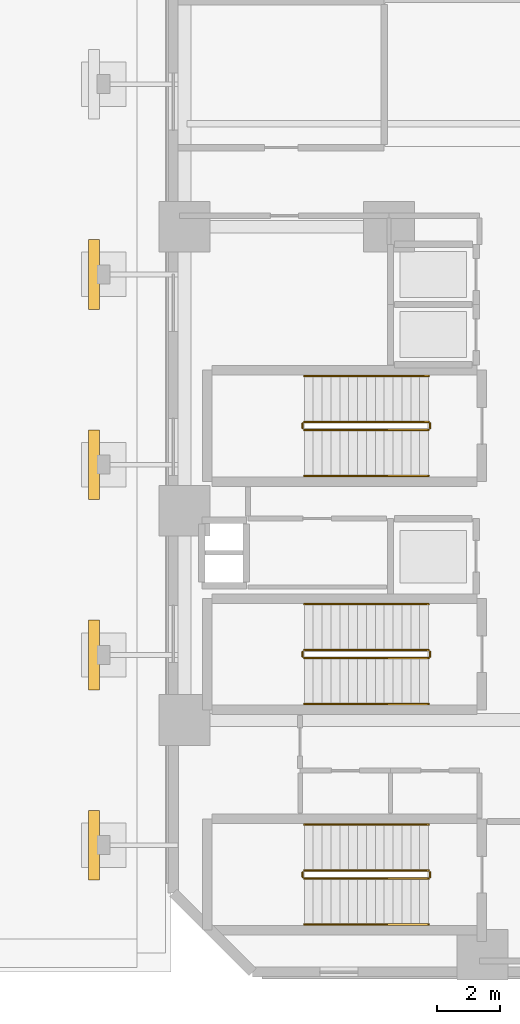
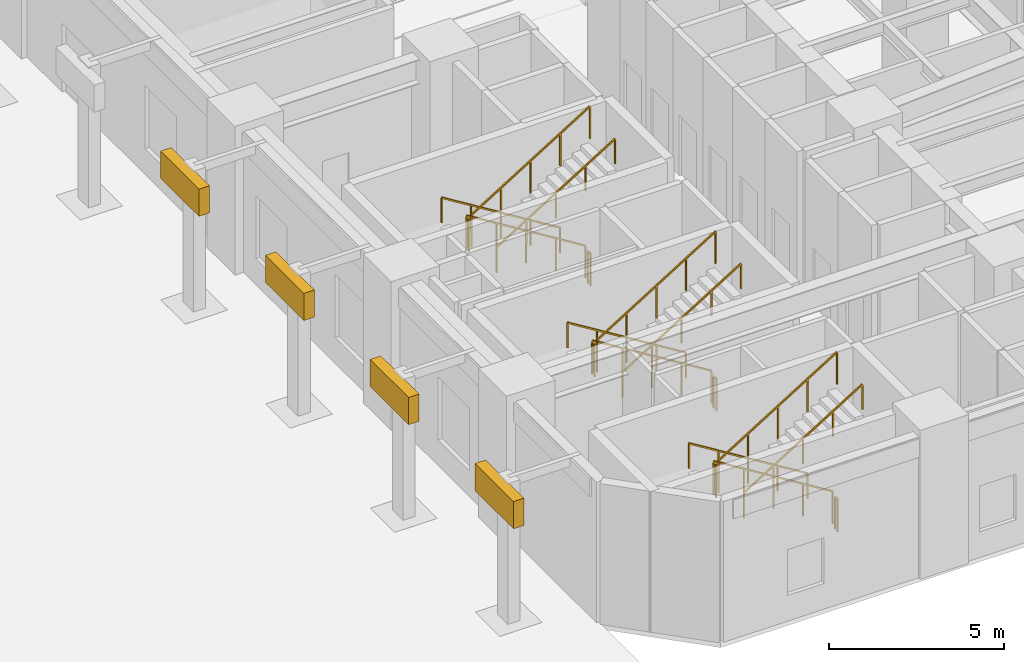
# One storey, part 8 of 14: 18 railings, 4 shading devices.
"""IFC4 building model written with IfcOpenShell, lengths in metres."""

from ifc_helpers import new_model, si_unit, direction, frame, origin, origin_2d, place, context, subcontext, project, spatial, rectangle, extrude, material, layer, layer_set, type_object, element, save


model = new_model("IFC4")

# Units and contexts
model_context = context("Model", 3, precision=1e-05, world=origin(), true_north=direction((0.0, 1.0)))
body_context = subcontext(model_context, "Body", "Model", "MODEL_VIEW")
ifc_project = project(units=[si_unit("LENGTHUNIT", "METRE"), si_unit("AREAUNIT", "SQUARE_METRE"), si_unit("VOLUMEUNIT", "CUBIC_METRE"), si_unit("PLANEANGLEUNIT", "RADIAN"), si_unit("MASSUNIT", "GRAM", prefix="KILO")], contexts=[model_context])

# Site, building, storey
site_placement = place(None, origin())
site = spatial("IfcSite", under=ifc_project, at=site_placement, CompositionType="ELEMENT")
building_placement = place(site_placement, origin())
building = spatial("IfcBuilding", under=site, at=building_placement, Name="Mawjaban Terraces University", CompositionType="ELEMENT")
storey_placement = place(building_placement, origin())
storey = spatial("IfcBuildingStorey", under=building, at=storey_placement, Name="L00", CompositionType="ELEMENT", Elevation=0.0)

# Shading devices
ifc_material_1 = material(Name="Anodised aluminium 6063-T6", Category="aluminium")
ifc_layer = layer(ifc_material_1, 0.090087890625)
ifc_layer_set = layer_set([ifc_layer], Name="Anodised aluminium 6063-T6")
shading_device_type = type_object("IfcShadingDeviceType", Name="ArcadeSunshadeShutter", PredefinedType="SHUTTER", material=ifc_layer_set)
for number, where, z_axis, x_axis, name in (
    (1, (19.5, 4.0, 3.9248046875), (0.0, 0.0, 1.0), (1.0, 0.0, 0.0), "L00 Plaza Arcade Sunshade 01"),
    (2, (19.5, 10.0, 3.9248046875), (0.0, 0.0, 1.0), (1.0, 0.0, 0.0), "L00 Plaza Arcade Sunshade 02"),
    (3, (19.5, 16.0, 3.9248046875), (0.0, 0.0, 1.0), (1.0, 0.0, 0.0), "L00 Plaza Arcade Sunshade 03"),
    (4, (19.5, 22.0, 3.9248046875), (0.0, 0.0, 1.0), (1.0, 0.0, 0.0), "L00 Plaza Arcade Sunshade 04"),
):
    element("IfcShadingDevice", number, at=place(storey_placement, frame(where, z_axis=z_axis, x_axis=x_axis)), inside=storey, type_object=shading_device_type, Name=name, PredefinedType="SHUTTER", context=body_context, shape_type="SweptSolid", body=[
        extrude(rectangle(XDim=0.35009765625, YDim=2.199951171875, at=origin_2d()), origin(), (0.0, 0.0, 1.0), 0.949951171875),
    ])

# Railings
ifc_material_2 = material(Name="Brushed stainless steel 316", Category="steel")
railing_type_1 = type_object("IfcRailingType", Name="StairWallHandrail_900", PredefinedType="HANDRAIL", material=ifc_material_2)
railing_1_placement = place(storey_placement, frame((30.050048828125, 4.64990234375, 0.17333984375)))
element("IfcRailing", 5, at=railing_1_placement, inside=storey, type_object=railing_type_1, Name="L00 ST-1 stair handrail 1", PredefinedType="HANDRAIL", context=body_context, shape_type="SweptSolid", body=[
    extrude(rectangle(XDim=0.048095703125, YDim=0.048095703125, at=origin_2d()), frame((0.0, 0.0, 0.8759765625), z_axis=(-0.850266275192, 0.0, 0.526352791643), x_axis=(0.0, -1.0, 0.0)), (0.0, 0.0, 1.0), 4.610595703125),
    extrude(rectangle(XDim=0.0419921875, YDim=0.0419921875, at=origin_2d()), origin(), (0.0, 0.0, 1.0), 0.851806640625),
    extrude(rectangle(XDim=0.0419921875, YDim=0.0419921875, at=origin_2d()), frame((-0.97998046875, 0.0, 0.606689453125)), (0.0, 0.0, 1.0), 0.851806640625),
    extrude(rectangle(XDim=0.0419921875, YDim=0.0419921875, at=origin_2d()), frame((-1.9599609375, 0.0, 1.21337890625)), (0.0, 0.0, 1.0), 0.851806640625),
    extrude(rectangle(XDim=0.0419921875, YDim=0.0419921875, at=origin_2d()), frame((-2.940185546875, 0.0, 1.820068359375)), (0.0, 0.0, 1.0), 0.851806640625),
    extrude(rectangle(XDim=0.0419921875, YDim=0.0419921875, at=origin_2d()), frame((-3.920166015625, 0.0, 2.4267578125)), (0.0, 0.0, 1.0), 0.851806640625),
])
railing_2_placement = place(storey_placement, frame((26.1298828125, 1.5, 2.7734375)))
element("IfcRailing", 6, at=railing_2_placement, inside=storey, type_object=railing_type_1, Name="L00 ST-1 stair handrail 2", PredefinedType="HANDRAIL", context=body_context, shape_type="SweptSolid", body=[
    extrude(rectangle(XDim=0.048095703125, YDim=0.048095703125, at=origin_2d()), frame((0.0, 0.0, 0.8759765625), z_axis=(0.850289973577, 0.0, 0.526314507528), x_axis=(0.0, 1.0, 0.0)), (0.0, 0.0, 1.0), 4.6103515625),
    extrude(rectangle(XDim=0.0419921875, YDim=0.0419921875, at=origin_2d()), origin(), (0.0, 0.0, 1.0), 0.851806640625),
    extrude(rectangle(XDim=0.0419921875, YDim=0.0419921875, at=origin_2d()), frame((0.97998046875, 0.0, 0.606689453125)), (0.0, 0.0, 1.0), 0.851806640625),
    extrude(rectangle(XDim=0.0419921875, YDim=0.0419921875, at=origin_2d()), frame((1.9599609375, 0.0, 1.21337890625)), (0.0, 0.0, 1.0), 0.851806640625),
    extrude(rectangle(XDim=0.0419921875, YDim=0.0419921875, at=origin_2d()), frame((2.940185546875, 0.0, 1.81982421875)), (0.0, 0.0, 1.0), 0.851806640625),
    extrude(rectangle(XDim=0.0419921875, YDim=0.0419921875, at=origin_2d()), frame((3.920166015625, 0.0, 2.426513671875)), (0.0, 0.0, 1.0), 0.851806640625),
])
railing_3_placement = place(storey_placement, frame((30.050048828125, 18.800048828125, 0.17333984375)))
element("IfcRailing", 7, at=railing_3_placement, inside=storey, type_object=railing_type_1, Name="L00 ST-2 stair handrail 1", PredefinedType="HANDRAIL", context=body_context, shape_type="SweptSolid", body=[
    extrude(rectangle(XDim=0.048095703125, YDim=0.048095703125, at=origin_2d()), frame((0.0, 0.0, 0.8759765625), z_axis=(-0.850266275192, 0.0, 0.526352791643), x_axis=(0.0, -1.0, 0.0)), (0.0, 0.0, 1.0), 4.610595703125),
    extrude(rectangle(XDim=0.0419921875, YDim=0.0419921875, at=origin_2d()), origin(), (0.0, 0.0, 1.0), 0.851806640625),
    extrude(rectangle(XDim=0.0419921875, YDim=0.0419921875, at=origin_2d()), frame((-0.97998046875, 0.0, 0.606689453125)), (0.0, 0.0, 1.0), 0.851806640625),
    extrude(rectangle(XDim=0.0419921875, YDim=0.0419921875, at=origin_2d()), frame((-1.9599609375, 0.0, 1.21337890625)), (0.0, 0.0, 1.0), 0.851806640625),
    extrude(rectangle(XDim=0.0419921875, YDim=0.0419921875, at=origin_2d()), frame((-2.940185546875, 0.0, 1.820068359375)), (0.0, 0.0, 1.0), 0.851806640625),
    extrude(rectangle(XDim=0.0419921875, YDim=0.0419921875, at=origin_2d()), frame((-3.920166015625, 0.0, 2.4267578125)), (0.0, 0.0, 1.0), 0.851806640625),
])
railing_4_placement = place(storey_placement, frame((26.1298828125, 15.64990234375, 2.7734375)))
element("IfcRailing", 8, at=railing_4_placement, inside=storey, type_object=railing_type_1, Name="L00 ST-2 stair handrail 2", PredefinedType="HANDRAIL", context=body_context, shape_type="SweptSolid", body=[
    extrude(rectangle(XDim=0.048095703125, YDim=0.048095703125, at=origin_2d()), frame((0.0, 0.0, 0.8759765625), z_axis=(0.850289973577, 0.0, 0.526314507528), x_axis=(0.0, 1.0, 0.0)), (0.0, 0.0, 1.0), 4.6103515625),
    extrude(rectangle(XDim=0.0419921875, YDim=0.0419921875, at=origin_2d()), origin(), (0.0, 0.0, 1.0), 0.851806640625),
    extrude(rectangle(XDim=0.0419921875, YDim=0.0419921875, at=origin_2d()), frame((0.97998046875, 0.0, 0.606689453125)), (0.0, 0.0, 1.0), 0.851806640625),
    extrude(rectangle(XDim=0.0419921875, YDim=0.0419921875, at=origin_2d()), frame((1.9599609375, 0.0, 1.21337890625)), (0.0, 0.0, 1.0), 0.851806640625),
    extrude(rectangle(XDim=0.0419921875, YDim=0.0419921875, at=origin_2d()), frame((2.940185546875, 0.0, 1.81982421875)), (0.0, 0.0, 1.0), 0.851806640625),
    extrude(rectangle(XDim=0.0419921875, YDim=0.0419921875, at=origin_2d()), frame((3.920166015625, 0.0, 2.426513671875)), (0.0, 0.0, 1.0), 0.851806640625),
])
railing_5_placement = place(storey_placement, frame((30.050048828125, 11.60009765625, 0.17333984375)))
element("IfcRailing", 9, at=railing_5_placement, inside=storey, type_object=railing_type_1, Name="L00 ST-3 stair handrail 1", PredefinedType="HANDRAIL", context=body_context, shape_type="SweptSolid", body=[
    extrude(rectangle(XDim=0.048095703125, YDim=0.048095703125, at=origin_2d()), frame((0.0, 0.0, 0.8759765625), z_axis=(-0.850266275192, 0.0, 0.526352791643), x_axis=(0.0, -1.0, 0.0)), (0.0, 0.0, 1.0), 4.610595703125),
    extrude(rectangle(XDim=0.0419921875, YDim=0.0419921875, at=origin_2d()), origin(), (0.0, 0.0, 1.0), 0.851806640625),
    extrude(rectangle(XDim=0.0419921875, YDim=0.0419921875, at=origin_2d()), frame((-0.97998046875, 0.0, 0.606689453125)), (0.0, 0.0, 1.0), 0.851806640625),
    extrude(rectangle(XDim=0.0419921875, YDim=0.0419921875, at=origin_2d()), frame((-1.9599609375, 0.0, 1.21337890625)), (0.0, 0.0, 1.0), 0.851806640625),
    extrude(rectangle(XDim=0.0419921875, YDim=0.0419921875, at=origin_2d()), frame((-2.940185546875, 0.0, 1.820068359375)), (0.0, 0.0, 1.0), 0.851806640625),
    extrude(rectangle(XDim=0.0419921875, YDim=0.0419921875, at=origin_2d()), frame((-3.920166015625, 0.0, 2.4267578125)), (0.0, 0.0, 1.0), 0.851806640625),
])
railing_6_placement = place(storey_placement, frame((26.1298828125, 8.449951171875, 2.7734375)))
element("IfcRailing", 10, at=railing_6_placement, inside=storey, type_object=railing_type_1, Name="L00 ST-3 stair handrail 2", PredefinedType="HANDRAIL", context=body_context, shape_type="SweptSolid", body=[
    extrude(rectangle(XDim=0.048095703125, YDim=0.048095703125, at=origin_2d()), frame((0.0, 0.0, 0.8759765625), z_axis=(0.850289973577, 0.0, 0.526314507528), x_axis=(0.0, 1.0, 0.0)), (0.0, 0.0, 1.0), 4.6103515625),
    extrude(rectangle(XDim=0.0419921875, YDim=0.0419921875, at=origin_2d()), origin(), (0.0, 0.0, 1.0), 0.851806640625),
    extrude(rectangle(XDim=0.0419921875, YDim=0.0419921875, at=origin_2d()), frame((0.97998046875, 0.0, 0.606689453125)), (0.0, 0.0, 1.0), 0.851806640625),
    extrude(rectangle(XDim=0.0419921875, YDim=0.0419921875, at=origin_2d()), frame((1.9599609375, 0.0, 1.21337890625)), (0.0, 0.0, 1.0), 0.851806640625),
    extrude(rectangle(XDim=0.0419921875, YDim=0.0419921875, at=origin_2d()), frame((2.940185546875, 0.0, 1.81982421875)), (0.0, 0.0, 1.0), 0.851806640625),
    extrude(rectangle(XDim=0.0419921875, YDim=0.0419921875, at=origin_2d()), frame((3.920166015625, 0.0, 2.426513671875)), (0.0, 0.0, 1.0), 0.851806640625),
])
ifc_material_3 = material(Name="Galvanised painted steel S355", Category="steel")
railing_type_2 = type_object("IfcRailingType", Name="StairWellGuard_1150", PredefinedType="BALUSTRADE", material=ifc_material_3)
railing_7_placement = place(storey_placement, frame((30.050048828125, 3.199951171875, 0.17333984375)))
element("IfcRailing", 11, at=railing_7_placement, inside=storey, type_object=railing_type_2, Name="L00 ST-1 stair guard 1", PredefinedType="BALUSTRADE", context=body_context, shape_type="SweptSolid", body=[
    extrude(rectangle(XDim=0.048095703125, YDim=0.048095703125, at=origin_2d()), frame((0.0, 0.0, 1.1259765625), z_axis=(-0.850266275192, 0.0, 0.526352791643), x_axis=(0.0, -1.0, 0.0)), (0.0, 0.0, 1.0), 4.610595703125),
    extrude(rectangle(XDim=0.0419921875, YDim=0.0419921875, at=origin_2d()), origin(), (0.0, 0.0, 1.0), 1.101806640625),
    extrude(rectangle(XDim=0.0419921875, YDim=0.0419921875, at=origin_2d()), frame((-0.97998046875, 0.0, 0.606689453125)), (0.0, 0.0, 1.0), 1.101806640625),
    extrude(rectangle(XDim=0.0419921875, YDim=0.0419921875, at=origin_2d()), frame((-1.9599609375, 0.0, 1.21337890625)), (0.0, 0.0, 1.0), 1.101806640625),
    extrude(rectangle(XDim=0.0419921875, YDim=0.0419921875, at=origin_2d()), frame((-2.940185546875, 0.0, 1.820068359375)), (0.0, 0.0, 1.0), 1.101806640625),
    extrude(rectangle(XDim=0.0419921875, YDim=0.0419921875, at=origin_2d()), frame((-3.920166015625, 0.0, 2.4267578125)), (0.0, 0.0, 1.0), 1.101806640625),
])
railing_8_placement = place(storey_placement, frame((26.080078125, 3.14990234375, 2.60009765625)))
element("IfcRailing", 12, at=railing_8_placement, inside=storey, type_object=railing_type_2, Name="L00 ST-1 stair guard 2", PredefinedType="BALUSTRADE", context=body_context, shape_type="SweptSolid", body=[
    extrude(rectangle(XDim=0.048095703125, YDim=0.048095703125, at=origin_2d()), frame((0.0, 0.0, 1.1259765625), z_axis=(0.0, -1.0, 0.0), x_axis=(1.0, 0.0, 0.0)), (0.0, 0.0, 1.0), 0.14990234375),
    extrude(rectangle(XDim=0.0419921875, YDim=0.0419921875, at=origin_2d()), origin(), (0.0, 0.0, 1.0), 1.101806640625),
    extrude(rectangle(XDim=0.0419921875, YDim=0.0419921875, at=origin_2d()), frame((0.0, -0.14990234375, 0.0)), (0.0, 0.0, 1.0), 1.101806640625),
])
railing_9_placement = place(storey_placement, frame((26.1298828125, 2.949951171875, 2.7734375)))
element("IfcRailing", 13, at=railing_9_placement, inside=storey, type_object=railing_type_2, Name="L00 ST-1 stair guard 3", PredefinedType="BALUSTRADE", context=body_context, shape_type="SweptSolid", body=[
    extrude(rectangle(XDim=0.048095703125, YDim=0.048095703125, at=origin_2d()), frame((0.0, 0.0, 1.1259765625), z_axis=(0.850289973577, 0.0, 0.526314507528), x_axis=(0.0, 1.0, 0.0)), (0.0, 0.0, 1.0), 4.6103515625),
    extrude(rectangle(XDim=0.0419921875, YDim=0.0419921875, at=origin_2d()), origin(), (0.0, 0.0, 1.0), 1.101806640625),
    extrude(rectangle(XDim=0.0419921875, YDim=0.0419921875, at=origin_2d()), frame((0.97998046875, 0.0, 0.606689453125)), (0.0, 0.0, 1.0), 1.101806640625),
    extrude(rectangle(XDim=0.0419921875, YDim=0.0419921875, at=origin_2d()), frame((1.9599609375, 0.0, 1.21337890625)), (0.0, 0.0, 1.0), 1.101806640625),
    extrude(rectangle(XDim=0.0419921875, YDim=0.0419921875, at=origin_2d()), frame((2.940185546875, 0.0, 1.81982421875)), (0.0, 0.0, 1.0), 1.101806640625),
    extrude(rectangle(XDim=0.0419921875, YDim=0.0419921875, at=origin_2d()), frame((3.920166015625, 0.0, 2.426513671875)), (0.0, 0.0, 1.0), 1.101806640625),
])
railing_10_placement = place(storey_placement, frame((30.10009765625, 3.14990234375, 0.0)))
element("IfcRailing", 14, at=railing_10_placement, inside=storey, type_object=railing_type_2, Name="L00 ST-1 stair guard 4", PredefinedType="BALUSTRADE", context=body_context, shape_type="SweptSolid", body=[
    extrude(rectangle(XDim=0.048095703125, YDim=0.048095703125, at=origin_2d()), frame((0.0, 0.0, 1.1259765625), z_axis=(0.0, -1.0, 0.0), x_axis=(1.0, 0.0, 0.0)), (0.0, 0.0, 1.0), 0.14990234375),
    extrude(rectangle(XDim=0.0419921875, YDim=0.0419921875, at=origin_2d()), origin(), (0.0, 0.0, 1.0), 1.101806640625),
    extrude(rectangle(XDim=0.0419921875, YDim=0.0419921875, at=origin_2d()), frame((0.0, -0.14990234375, 0.0)), (0.0, 0.0, 1.0), 1.101806640625),
])
railing_11_placement = place(storey_placement, frame((30.050048828125, 17.35009765625, 0.17333984375)))
element("IfcRailing", 15, at=railing_11_placement, inside=storey, type_object=railing_type_2, Name="L00 ST-2 stair guard 1", PredefinedType="BALUSTRADE", context=body_context, shape_type="SweptSolid", body=[
    extrude(rectangle(XDim=0.048095703125, YDim=0.048095703125, at=origin_2d()), frame((0.0, 0.0, 1.1259765625), z_axis=(-0.850266275192, 0.0, 0.526352791643), x_axis=(0.0, -1.0, 0.0)), (0.0, 0.0, 1.0), 4.610595703125),
    extrude(rectangle(XDim=0.0419921875, YDim=0.0419921875, at=origin_2d()), origin(), (0.0, 0.0, 1.0), 1.101806640625),
    extrude(rectangle(XDim=0.0419921875, YDim=0.0419921875, at=origin_2d()), frame((-0.97998046875, 0.0, 0.606689453125)), (0.0, 0.0, 1.0), 1.101806640625),
    extrude(rectangle(XDim=0.0419921875, YDim=0.0419921875, at=origin_2d()), frame((-1.9599609375, 0.0, 1.21337890625)), (0.0, 0.0, 1.0), 1.101806640625),
    extrude(rectangle(XDim=0.0419921875, YDim=0.0419921875, at=origin_2d()), frame((-2.940185546875, 0.0, 1.820068359375)), (0.0, 0.0, 1.0), 1.101806640625),
    extrude(rectangle(XDim=0.0419921875, YDim=0.0419921875, at=origin_2d()), frame((-3.920166015625, 0.0, 2.4267578125)), (0.0, 0.0, 1.0), 1.101806640625),
])
railing_12_placement = place(storey_placement, frame((26.080078125, 17.300048828125, 2.60009765625)))
element("IfcRailing", 16, at=railing_12_placement, inside=storey, type_object=railing_type_2, Name="L00 ST-2 stair guard 2", PredefinedType="BALUSTRADE", context=body_context, shape_type="SweptSolid", body=[
    extrude(rectangle(XDim=0.048095703125, YDim=0.048095703125, at=origin_2d()), frame((0.0, 0.0, 1.1259765625), z_axis=(0.0, -1.0, 0.0), x_axis=(1.0, 0.0, 0.0)), (0.0, 0.0, 1.0), 0.150146484375),
    extrude(rectangle(XDim=0.0419921875, YDim=0.0419921875, at=origin_2d()), origin(), (0.0, 0.0, 1.0), 1.101806640625),
    extrude(rectangle(XDim=0.0419921875, YDim=0.0419921875, at=origin_2d()), frame((0.0, -0.150146484375, 0.0)), (0.0, 0.0, 1.0), 1.101806640625),
])
railing_13_placement = place(storey_placement, frame((26.1298828125, 17.10009765625, 2.7734375)))
element("IfcRailing", 17, at=railing_13_placement, inside=storey, type_object=railing_type_2, Name="L00 ST-2 stair guard 3", PredefinedType="BALUSTRADE", context=body_context, shape_type="SweptSolid", body=[
    extrude(rectangle(XDim=0.048095703125, YDim=0.048095703125, at=origin_2d()), frame((0.0, 0.0, 1.1259765625), z_axis=(0.850289973577, 0.0, 0.526314507528), x_axis=(0.0, 1.0, 0.0)), (0.0, 0.0, 1.0), 4.6103515625),
    extrude(rectangle(XDim=0.0419921875, YDim=0.0419921875, at=origin_2d()), origin(), (0.0, 0.0, 1.0), 1.101806640625),
    extrude(rectangle(XDim=0.0419921875, YDim=0.0419921875, at=origin_2d()), frame((0.97998046875, 0.0, 0.606689453125)), (0.0, 0.0, 1.0), 1.101806640625),
    extrude(rectangle(XDim=0.0419921875, YDim=0.0419921875, at=origin_2d()), frame((1.9599609375, 0.0, 1.21337890625)), (0.0, 0.0, 1.0), 1.101806640625),
    extrude(rectangle(XDim=0.0419921875, YDim=0.0419921875, at=origin_2d()), frame((2.940185546875, 0.0, 1.81982421875)), (0.0, 0.0, 1.0), 1.101806640625),
    extrude(rectangle(XDim=0.0419921875, YDim=0.0419921875, at=origin_2d()), frame((3.920166015625, 0.0, 2.426513671875)), (0.0, 0.0, 1.0), 1.101806640625),
])
railing_14_placement = place(storey_placement, frame((30.10009765625, 17.300048828125, 0.0)))
element("IfcRailing", 18, at=railing_14_placement, inside=storey, type_object=railing_type_2, Name="L00 ST-2 stair guard 4", PredefinedType="BALUSTRADE", context=body_context, shape_type="SweptSolid", body=[
    extrude(rectangle(XDim=0.048095703125, YDim=0.048095703125, at=origin_2d()), frame((0.0, 0.0, 1.1259765625), z_axis=(0.0, -1.0, 0.0), x_axis=(1.0, 0.0, 0.0)), (0.0, 0.0, 1.0), 0.150146484375),
    extrude(rectangle(XDim=0.0419921875, YDim=0.0419921875, at=origin_2d()), origin(), (0.0, 0.0, 1.0), 1.101806640625),
    extrude(rectangle(XDim=0.0419921875, YDim=0.0419921875, at=origin_2d()), frame((0.0, -0.150146484375, 0.0)), (0.0, 0.0, 1.0), 1.101806640625),
])
railing_15_placement = place(storey_placement, frame((30.050048828125, 10.14990234375, 0.17333984375)))
element("IfcRailing", 19, at=railing_15_placement, inside=storey, type_object=railing_type_2, Name="L00 ST-3 stair guard 1", PredefinedType="BALUSTRADE", context=body_context, shape_type="SweptSolid", body=[
    extrude(rectangle(XDim=0.048095703125, YDim=0.048095703125, at=origin_2d()), frame((0.0, 0.0, 1.1259765625), z_axis=(-0.850266275192, 0.0, 0.526352791643), x_axis=(0.0, -1.0, 0.0)), (0.0, 0.0, 1.0), 4.610595703125),
    extrude(rectangle(XDim=0.0419921875, YDim=0.0419921875, at=origin_2d()), origin(), (0.0, 0.0, 1.0), 1.101806640625),
    extrude(rectangle(XDim=0.0419921875, YDim=0.0419921875, at=origin_2d()), frame((-0.97998046875, 0.0, 0.606689453125)), (0.0, 0.0, 1.0), 1.101806640625),
    extrude(rectangle(XDim=0.0419921875, YDim=0.0419921875, at=origin_2d()), frame((-1.9599609375, 0.0, 1.21337890625)), (0.0, 0.0, 1.0), 1.101806640625),
    extrude(rectangle(XDim=0.0419921875, YDim=0.0419921875, at=origin_2d()), frame((-2.940185546875, 0.0, 1.820068359375)), (0.0, 0.0, 1.0), 1.101806640625),
    extrude(rectangle(XDim=0.0419921875, YDim=0.0419921875, at=origin_2d()), frame((-3.920166015625, 0.0, 2.4267578125)), (0.0, 0.0, 1.0), 1.101806640625),
])
railing_16_placement = place(storey_placement, frame((26.080078125, 10.10009765625, 2.60009765625)))
element("IfcRailing", 20, at=railing_16_placement, inside=storey, type_object=railing_type_2, Name="L00 ST-3 stair guard 2", PredefinedType="BALUSTRADE", context=body_context, shape_type="SweptSolid", body=[
    extrude(rectangle(XDim=0.048095703125, YDim=0.048095703125, at=origin_2d()), frame((0.0, 0.0, 1.1259765625), z_axis=(0.0, -1.0, 0.0), x_axis=(1.0, 0.0, 0.0)), (0.0, 0.0, 1.0), 0.150146484375),
    extrude(rectangle(XDim=0.0419921875, YDim=0.0419921875, at=origin_2d()), origin(), (0.0, 0.0, 1.0), 1.101806640625),
    extrude(rectangle(XDim=0.0419921875, YDim=0.0419921875, at=origin_2d()), frame((0.0, -0.150146484375, 0.0)), (0.0, 0.0, 1.0), 1.101806640625),
])
railing_17_placement = place(storey_placement, frame((26.1298828125, 9.89990234375, 2.7734375)))
element("IfcRailing", 21, at=railing_17_placement, inside=storey, type_object=railing_type_2, Name="L00 ST-3 stair guard 3", PredefinedType="BALUSTRADE", context=body_context, shape_type="SweptSolid", body=[
    extrude(rectangle(XDim=0.048095703125, YDim=0.048095703125, at=origin_2d()), frame((0.0, 0.0, 1.1259765625), z_axis=(0.850289973577, 0.0, 0.526314507528), x_axis=(0.0, 1.0, 0.0)), (0.0, 0.0, 1.0), 4.6103515625),
    extrude(rectangle(XDim=0.0419921875, YDim=0.0419921875, at=origin_2d()), origin(), (0.0, 0.0, 1.0), 1.101806640625),
    extrude(rectangle(XDim=0.0419921875, YDim=0.0419921875, at=origin_2d()), frame((0.97998046875, 0.0, 0.606689453125)), (0.0, 0.0, 1.0), 1.101806640625),
    extrude(rectangle(XDim=0.0419921875, YDim=0.0419921875, at=origin_2d()), frame((1.9599609375, 0.0, 1.21337890625)), (0.0, 0.0, 1.0), 1.101806640625),
    extrude(rectangle(XDim=0.0419921875, YDim=0.0419921875, at=origin_2d()), frame((2.940185546875, 0.0, 1.81982421875)), (0.0, 0.0, 1.0), 1.101806640625),
    extrude(rectangle(XDim=0.0419921875, YDim=0.0419921875, at=origin_2d()), frame((3.920166015625, 0.0, 2.426513671875)), (0.0, 0.0, 1.0), 1.101806640625),
])
railing_18_placement = place(storey_placement, frame((30.10009765625, 10.10009765625, 0.0)))
element("IfcRailing", 22, at=railing_18_placement, inside=storey, type_object=railing_type_2, Name="L00 ST-3 stair guard 4", PredefinedType="BALUSTRADE", context=body_context, shape_type="SweptSolid", body=[
    extrude(rectangle(XDim=0.048095703125, YDim=0.048095703125, at=origin_2d()), frame((0.0, 0.0, 1.1259765625), z_axis=(0.0, -1.0, 0.0), x_axis=(1.0, 0.0, 0.0)), (0.0, 0.0, 1.0), 0.150146484375),
    extrude(rectangle(XDim=0.0419921875, YDim=0.0419921875, at=origin_2d()), origin(), (0.0, 0.0, 1.0), 1.101806640625),
    extrude(rectangle(XDim=0.0419921875, YDim=0.0419921875, at=origin_2d()), frame((0.0, -0.150146484375, 0.0)), (0.0, 0.0, 1.0), 1.101806640625),
])

save(model, "model.ifc")
